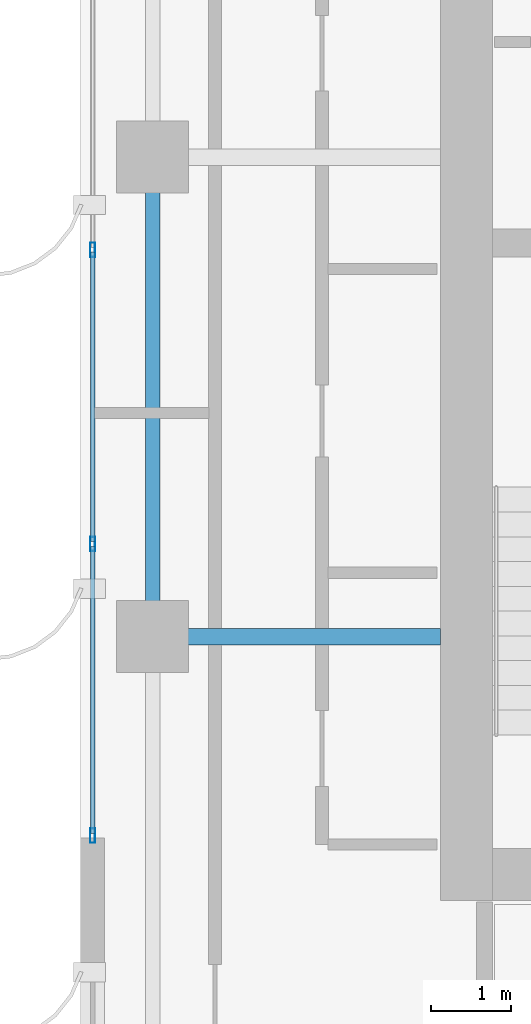
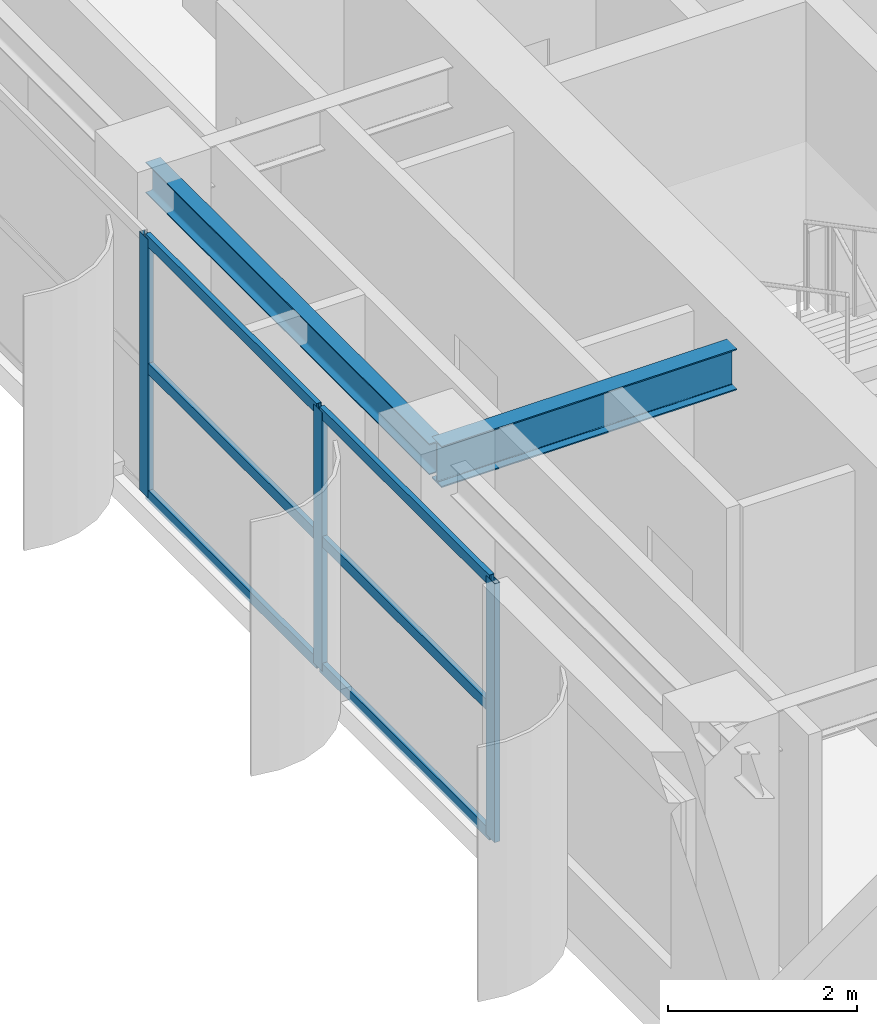
# One storey, part 6 of 22: 9 members, 2 beams, 1 element without a shape of its own.
"""IFC4 building model written with IfcOpenShell, lengths in metres."""

from ifc_helpers import new_model, si_unit, direction, frame, origin, origin_2d, place, context, subcontext, project, spatial, hollow_rectangle, i_section, extrude, source, transform, mapped, material, layer, layer_set, material_profile, profile_set, type_object, element, aggregate, save


model = new_model("IFC4")

# Units and contexts
model_context = context("Model", 3, precision=1e-05, world=origin(), true_north=direction((0.0, 1.0)))
body_context = subcontext(model_context, "Body", "Model", "MODEL_VIEW")
ifc_project = project(units=[si_unit("LENGTHUNIT", "METRE"), si_unit("AREAUNIT", "SQUARE_METRE"), si_unit("VOLUMEUNIT", "CUBIC_METRE"), si_unit("PLANEANGLEUNIT", "RADIAN"), si_unit("MASSUNIT", "GRAM", prefix="KILO")], contexts=[model_context])

# Site, building, storey
site_placement = place(None, origin())
site = spatial("IfcSite", under=ifc_project, at=site_placement, CompositionType="ELEMENT")
building_placement = place(site_placement, origin())
building = spatial("IfcBuilding", under=site, at=building_placement, Name="Khoralis Quay Care Tower", CompositionType="ELEMENT")
storey_placement = place(building_placement, frame((0.0, 0.0, 188.10009765625)))
storey = spatial("IfcBuildingStorey", under=building, at=storey_placement, Name="L49", CompositionType="ELEMENT", Elevation=188.10009765625)

# Beams
ifc_material_1 = material(Name="Steel S355", Category="steel")
ifc_material_profile_1 = material_profile(ifc_material_1, i_section(OverallWidth=0.179931640625, OverallDepth=0.39990234375, WebThickness=0.008544921875, FlangeThickness=0.013427734375, FilletRadius=0.02099609375, at=origin_2d()), Name="Steel S355")
ifc_profile_set_1 = profile_set([ifc_material_profile_1], Name="Steel S355")
beam_type_1 = type_object("IfcBeamType", Name="BM-IPE400", PredefinedType="SPANDREL", material=ifc_profile_set_1)
shared_shape_1 = source(origin(), body_context, "Body", "SweptSolid", [
    extrude(i_section(OverallWidth=0.179931640625, OverallDepth=0.39990234375, WebThickness=0.008544921875, FlangeThickness=0.013427734375, FilletRadius=0.02099609375, at=origin_2d()), origin(), (0.0, 0.0, 1.0), 6.0),
])
beam_1_placement = place(storey_placement, frame((3.89990234375, 18.0, 3.139892578125), z_axis=(0.0, 1.0, 0.0), x_axis=(-1.0, 0.0, 0.0)))
element("IfcBeam", 1, at=beam_1_placement, inside=storey, type_object=beam_type_1, Name="BM-TSP-L49-07", PredefinedType="SPANDREL", context=body_context, shape_type="MappedRepresentation", body=[
    mapped(shared_shape_1, transform((0.0, 0.0, 0.0), scale=1.0)),
])
ifc_material_profile_2 = material_profile(ifc_material_1, i_section(OverallWidth=0.208984375, OverallDepth=0.532958984375, WebThickness=0.01025390625, FlangeThickness=0.015625, FilletRadius=0.01611328125, at=origin_2d()), Name="Steel S355")
ifc_profile_set_2 = profile_set([ifc_material_profile_2], Name="Steel S355")
beam_type_2 = type_object("IfcBeamType", Name="BM-W530X92", PredefinedType="BEAM", material=ifc_profile_set_2)
shared_shape_2 = source(origin(), body_context, "Body", "SweptSolid", [
    extrude(i_section(OverallWidth=0.208984375, OverallDepth=0.532958984375, WebThickness=0.01025390625, FlangeThickness=0.015625, FilletRadius=0.01611328125, at=origin_2d()), origin(), (0.0, 0.0, 1.0), 3.60205078125),
])
beam_2_placement = place(storey_placement, frame((3.89990234375, 18.0, 3.073486328125), z_axis=(1.0, 0.0, 0.0), x_axis=(0.0, 1.0, 0.0)))
element("IfcBeam", 2, at=beam_2_placement, inside=storey, type_object=beam_type_2, Name="BM-TGXW-L49-180", PredefinedType="BEAM", context=body_context, shape_type="MappedRepresentation", body=[
    mapped(shared_shape_2, transform((0.0, 0.0, 0.0), scale=1.0)),
])

# Curtain wall, members
ifc_material_2 = material(Name="Pale anodised aluminium", Category="aluminium")
ifc_layer = layer(ifc_material_2, 0.159912109375)
ifc_layer_set = layer_set([ifc_layer], Name="Pale anodised aluminium")
curtain_wall_type = type_object("IfcCurtainWallType", Name="CW-SYS-Z3", PredefinedType="NOTDEFINED", material=ifc_layer_set)
curtain_wall_placement = place(storey_placement, origin())
curtain_wall = element("IfcCurtainWall", 3, at=curtain_wall_placement, inside=storey, type_object=curtain_wall_type, Name="L49 Unitised Curtain Wall CW-L49-P1-E7", PredefinedType="NOTDEFINED")
ifc_material_profile_3 = material_profile(ifc_material_2, hollow_rectangle(XDim=0.06494140625, YDim=0.179931640625, WallThickness=0.00390625, at=origin_2d()), Name="Pale anodised aluminium")
ifc_profile_set_3 = profile_set([ifc_material_profile_3], Name="Pale anodised aluminium")
member_type_1 = type_object("IfcMemberType", Name="CW-MUL-180", PredefinedType="MULLION", material=ifc_profile_set_3)
shared_shape_3 = source(origin(), body_context, "Body", "SweptSolid", [
    extrude(hollow_rectangle(XDim=0.06494140625, YDim=0.179931640625, WallThickness=0.00390625, at=origin_2d()), origin(), (0.0, 0.0, 1.0), 3.33984375),
])
member_1_placement = place(storey_placement, frame((3.14990234375, 22.840087890625, 0.0), z_axis=(0.0, 0.0, 1.0), x_axis=(1.0, 0.0, 0.0)))
member_1 = element("IfcMember", 4, at=member_1_placement, type_object=member_type_1, Name="CW3 mullion 2", PredefinedType="MULLION", context=body_context, shape_type="MappedRepresentation", body=[
    mapped(shared_shape_3, transform((0.0, 0.0, 0.0), scale=1.0)),
])
member_2_placement = place(storey_placement, frame((3.14990234375, 19.159912109375, 0.0), z_axis=(0.0, 0.0, 1.0), x_axis=(1.0, 0.0, 0.0)))
member_2 = element("IfcMember", 5, at=member_2_placement, type_object=member_type_1, Name="CW3 mullion 3", PredefinedType="MULLION", context=body_context, shape_type="MappedRepresentation", body=[
    mapped(shared_shape_3, transform((0.0, 0.0, 0.0), scale=1.0)),
])
member_3_placement = place(storey_placement, frame((3.14990234375, 15.510009765625, 0.0), z_axis=(0.0, 0.0, 1.0), x_axis=(1.0, 0.0, 0.0)))
member_3 = element("IfcMember", 6, at=member_3_placement, type_object=member_type_1, Name="CW3 mullion 4", PredefinedType="MULLION", context=body_context, shape_type="MappedRepresentation", body=[
    mapped(shared_shape_3, transform((0.0, 0.0, 0.0), scale=1.0)),
])
ifc_material_profile_4 = material_profile(ifc_material_2, hollow_rectangle(XDim=0.06005859375, YDim=0.139892578125, WallThickness=0.00390625, at=origin_2d()), Name="Pale anodised aluminium")
ifc_profile_set_4 = profile_set([ifc_material_profile_4], Name="Pale anodised aluminium")
member_type_2 = type_object("IfcMemberType", Name="CW-TRN-140", PredefinedType="USERDEFINED", material=ifc_profile_set_4)
shared_shape_4 = source(origin(), body_context, "Body", "SweptSolid", [
    extrude(hollow_rectangle(XDim=0.06005859375, YDim=0.139892578125, WallThickness=0.00390625, at=origin_2d()), origin(), (0.0, 0.0, 1.0), 3.58984375),
])
member_4_placement = place(storey_placement, frame((3.14990234375, 19.1298828125, 0.02978515625), z_axis=(0.0, -1.0, 0.0), x_axis=(1.0, 0.0, 0.0)))
member_4 = element("IfcMember", 7, at=member_4_placement, type_object=member_type_2, Name="CW3 transom 3.1", ObjectType="TRANSOM", PredefinedType="USERDEFINED", context=body_context, shape_type="MappedRepresentation", body=[
    mapped(shared_shape_4, transform((0.0, 0.0, 0.0), scale=1.0)),
])
member_5_placement = place(storey_placement, frame((3.14990234375, 19.1298828125, 1.669921875), z_axis=(0.0, -1.0, 0.0), x_axis=(1.0, 0.0, 0.0)))
member_5 = element("IfcMember", 8, at=member_5_placement, type_object=member_type_2, Name="CW3 transom 3.2", ObjectType="TRANSOM", PredefinedType="USERDEFINED", context=body_context, shape_type="MappedRepresentation", body=[
    mapped(shared_shape_4, transform((0.0, 0.0, 0.0), scale=1.0)),
])
member_6_placement = place(storey_placement, frame((3.14990234375, 19.1298828125, 3.309814453125), z_axis=(0.0, -1.0, 0.0), x_axis=(1.0, 0.0, 0.0)))
member_6 = element("IfcMember", 9, at=member_6_placement, type_object=member_type_2, Name="CW3 transom 3.3", ObjectType="TRANSOM", PredefinedType="USERDEFINED", context=body_context, shape_type="MappedRepresentation", body=[
    mapped(shared_shape_4, transform((0.0, 0.0, 0.0), scale=1.0)),
])
shared_shape_5 = source(origin(), body_context, "Body", "SweptSolid", [
    extrude(hollow_rectangle(XDim=0.06005859375, YDim=0.139892578125, WallThickness=0.00390625, at=origin_2d()), origin(), (0.0, 0.0, 1.0), 3.6201171875),
])
member_7_placement = place(storey_placement, frame((3.14990234375, 22.81005859375, 0.02978515625), z_axis=(0.0, -1.0, 0.0), x_axis=(1.0, 0.0, 0.0)))
member_7 = element("IfcMember", 10, at=member_7_placement, type_object=member_type_2, Name="CW3 transom 2.1", ObjectType="TRANSOM", PredefinedType="USERDEFINED", context=body_context, shape_type="MappedRepresentation", body=[
    mapped(shared_shape_5, transform((0.0, 0.0, 0.0), scale=1.0)),
])
member_8_placement = place(storey_placement, frame((3.14990234375, 22.81005859375, 1.669921875), z_axis=(0.0, -1.0, 0.0), x_axis=(1.0, 0.0, 0.0)))
member_8 = element("IfcMember", 11, at=member_8_placement, type_object=member_type_2, Name="CW3 transom 2.2", ObjectType="TRANSOM", PredefinedType="USERDEFINED", context=body_context, shape_type="MappedRepresentation", body=[
    mapped(shared_shape_5, transform((0.0, 0.0, 0.0), scale=1.0)),
])
member_9_placement = place(storey_placement, frame((3.14990234375, 22.81005859375, 3.309814453125), z_axis=(0.0, -1.0, 0.0), x_axis=(1.0, 0.0, 0.0)))
member_9 = element("IfcMember", 12, at=member_9_placement, type_object=member_type_2, Name="CW3 transom 2.3", ObjectType="TRANSOM", PredefinedType="USERDEFINED", context=body_context, shape_type="MappedRepresentation", body=[
    mapped(shared_shape_5, transform((0.0, 0.0, 0.0), scale=1.0)),
])
aggregate(curtain_wall, [member_1, member_2, member_3, member_7, member_8, member_9, member_4, member_5, member_6])

save(model, "model.ifc")
